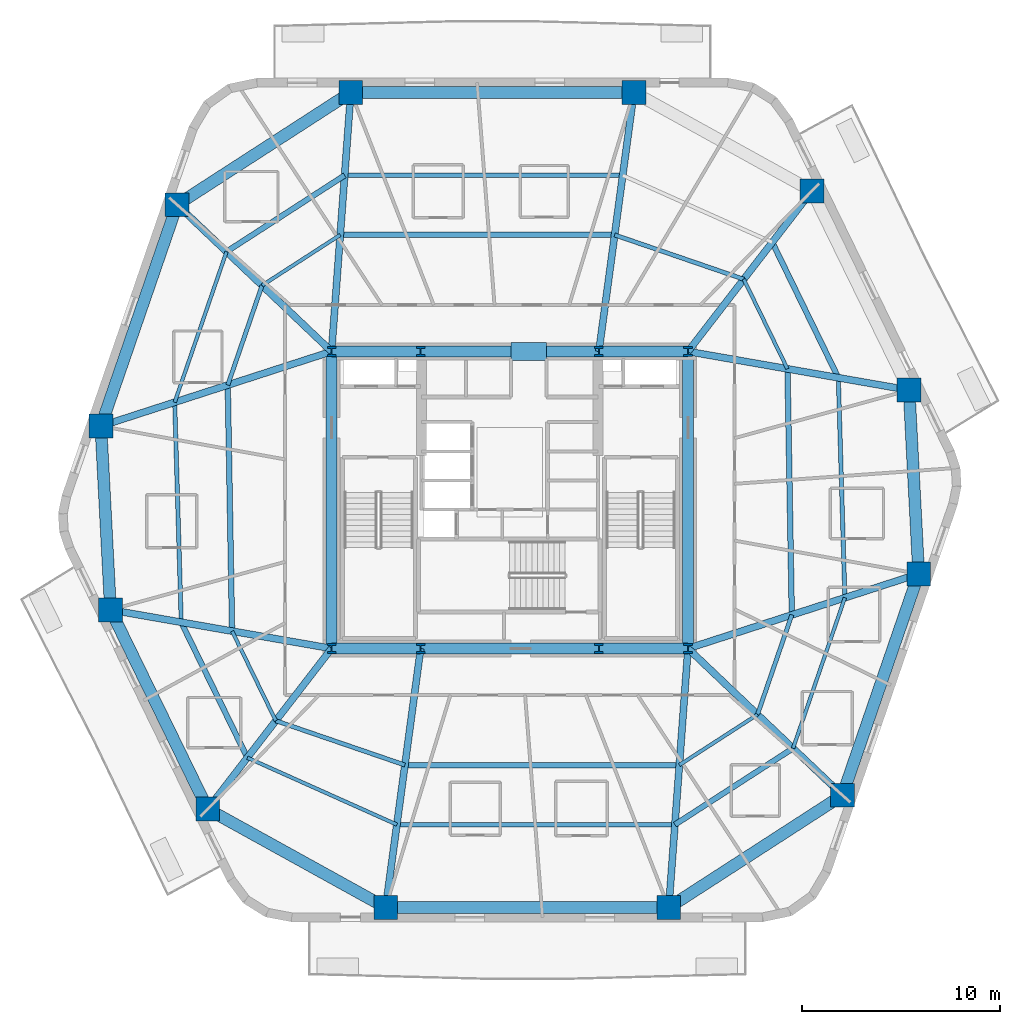
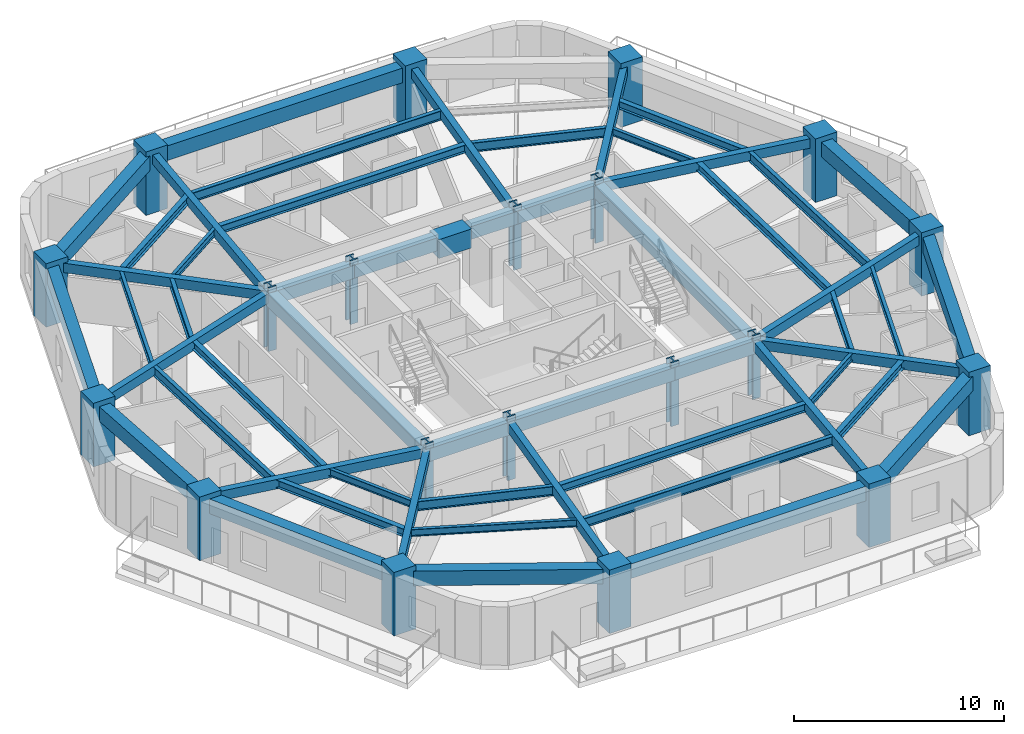
# One storey, part 1 of 10: 54 beams, 20 columns.
"""IFC4 building model written with IfcOpenShell, lengths in metres."""

from ifc_helpers import new_model, si_unit, direction, frame, origin, origin_2d, place, context, subcontext, project, spatial, rectangle, i_section, extrude, material, material_profile, profile_set, type_object, element, save


model = new_model("IFC4")

# Units and contexts
model_context = context("Model", 3, precision=1e-05, world=origin(), true_north=direction((0.0, 1.0)))
body_context = subcontext(model_context, "Body", "Model", "MODEL_VIEW")
ifc_project = project(units=[si_unit("LENGTHUNIT", "METRE"), si_unit("AREAUNIT", "SQUARE_METRE"), si_unit("VOLUMEUNIT", "CUBIC_METRE"), si_unit("PLANEANGLEUNIT", "RADIAN"), si_unit("MASSUNIT", "GRAM", prefix="KILO")], contexts=[model_context])

# Site, building, storey
site_placement = place(None, origin())
site = spatial("IfcSite", under=ifc_project, at=site_placement, CompositionType="ELEMENT")
building_placement = place(site_placement, origin())
building = spatial("IfcBuilding", under=site, at=building_placement, Name="Kilnhurst Terrace Hotel", CompositionType="ELEMENT")
storey_placement = place(building_placement, frame((0.0, 0.0, 98.800048828125)))
storey = spatial("IfcBuildingStorey", under=building, at=storey_placement, Name="L23", CompositionType="ELEMENT", Elevation=98.800048828125)

# Columns
ifc_material_1 = material(Name="Concrete C80/95", Category="concrete")
ifc_material_profile_1 = material_profile(ifc_material_1, rectangle(XDim=1.199951171875, YDim=1.199951171875, at=origin_2d()), Name="RC1200X1200")
ifc_profile_set_1 = profile_set([ifc_material_profile_1], Name="Concrete C80/95")
column_type_1 = type_object("IfcColumnType", Name="COL-RC-1200", PredefinedType="COLUMN", material=ifc_profile_set_1)
for number, where, z_axis, x_axis, name in (
    (1, (-6.26806640625, -20.580078125, 0.0), (0.0, 0.0, 1.0), (1.0, 0.0, 0.0), "L23 Structural Column PC-F11"),
    (2, (8.028076171875, -20.580078125, 0.0), (0.0, 0.0, 1.0), (1.0, 0.0, 0.0), "L23 Structural Column PC-F12"),
    (3, (16.800048828125, -14.910888671875, 0.0), (0.0, 0.0, 1.0), (1.0, 0.0, 0.0), "L23 Structural Column PC-F21"),
    (4, (20.64990234375, -3.73095703125, 0.0), (0.0, 0.0, 1.0), (1.0, 0.0, 0.0), "L23 Structural Column PC-F22"),
    (5, (20.1640625, 5.549072265625, 0.0), (0.0, 0.0, 1.0), (1.0, 0.0, 0.0), "L23 Structural Column PC-F31"),
    (6, (15.257080078125, 15.60888671875, 0.0), (0.0, 0.0, 1.0), (1.0, 0.0, 0.0), "L23 Structural Column PC-F32"),
    (7, (6.26806640625, 20.580078125, 0.0), (0.0, 0.0, 1.0), (1.0, 0.0, 0.0), "L23 Structural Column PC-F41"),
    (8, (-8.028076171875, 20.580078125, 0.0), (0.0, 0.0, 1.0), (1.0, 0.0, 0.0), "L23 Structural Column PC-F42"),
    (9, (-16.800048828125, 14.910888671875, 0.0), (0.0, 0.0, 1.0), (1.0, 0.0, 0.0), "L23 Structural Column PC-F51"),
    (10, (-20.64990234375, 3.73095703125, 0.0), (0.0, 0.0, 1.0), (1.0, 0.0, 0.0), "L23 Structural Column PC-F52"),
    (11, (-20.1640625, -5.549072265625, 0.0), (0.0, 0.0, 1.0), (1.0, 0.0, 0.0), "L23 Structural Column PC-F61"),
    (12, (-15.257080078125, -15.60888671875, 0.0), (0.0, 0.0, 1.0), (1.0, 0.0, 0.0), "L23 Structural Column PC-F62"),
):
    element("IfcColumn", number, at=place(storey_placement, frame(where, z_axis=z_axis, x_axis=x_axis)), inside=storey, type_object=column_type_1, Name=name, PredefinedType="COLUMN", context=body_context, shape_type="SweptSolid", body=[
        extrude(rectangle(XDim=1.199951171875, YDim=1.199951171875, at=origin_2d()), origin(), (0.0, 0.0, 1.0), 3.699951171875),
    ])
ifc_material_2 = material(Name="Steel ASTM A992 Grade 50", Category="steel")
ifc_material_profile_2 = material_profile(ifc_material_2, i_section(OverallWidth=0.43212890625, OverallDepth=0.497802734375, WebThickness=0.0556640625, FlangeThickness=0.0888671875, at=origin_2d()), Name="W14X500")
ifc_profile_set_2 = profile_set([ifc_material_profile_2], Name="Steel ASTM A992 Grade 50")
column_type_2 = type_object("IfcColumnType", Name="COL-STL-W14X500", PredefinedType="COLUMN", material=ifc_profile_set_2)
for number, where, z_axis, x_axis, name in (
    (13, (-9.0, -7.5, 0.0), (0.0, 0.0, 1.0), (1.0, 0.0, 0.0), "L23 Structural Column CC-SW"),
    (14, (-4.5, -7.5, 0.0), (0.0, 0.0, 1.0), (1.0, 0.0, 0.0), "L23 Structural Column CC-SC1"),
    (15, (4.5, -7.5, 0.0), (0.0, 0.0, 1.0), (1.0, 0.0, 0.0), "L23 Structural Column CC-SC2"),
    (16, (9.0, -7.5, 0.0), (0.0, 0.0, 1.0), (1.0, 0.0, 0.0), "L23 Structural Column CC-SE"),
    (17, (9.0, 7.5, 0.0), (0.0, 0.0, 1.0), (1.0, 0.0, 0.0), "L23 Structural Column CC-NE"),
    (18, (4.5, 7.5, 0.0), (0.0, 0.0, 1.0), (1.0, 0.0, 0.0), "L23 Structural Column CC-NC2"),
    (19, (-4.5, 7.5, 0.0), (0.0, 0.0, 1.0), (1.0, 0.0, 0.0), "L23 Structural Column CC-NC1"),
    (20, (-9.0, 7.5, 0.0), (0.0, 0.0, 1.0), (1.0, 0.0, 0.0), "L23 Structural Column CC-NW"),
):
    element("IfcColumn", number, at=place(storey_placement, frame(where, z_axis=z_axis, x_axis=x_axis)), inside=storey, type_object=column_type_2, Name=name, PredefinedType="COLUMN", context=body_context, shape_type="SweptSolid", body=[
        extrude(i_section(OverallWidth=0.43212890625, OverallDepth=0.497802734375, WebThickness=0.0556640625, FlangeThickness=0.0888671875, at=origin_2d()), origin(), (0.0, 0.0, 1.0), 3.699951171875),
    ])

# Beams
ifc_material_3 = material(Name="Concrete C50/60", Category="concrete")
ifc_material_profile_3 = material_profile(ifc_material_3, rectangle(XDim=0.35009765625, YDim=0.550048828125, at=origin_2d()), Name="RC350X550")
ifc_profile_set_3 = profile_set([ifc_material_profile_3], Name="Concrete C50/60")
beam_type_1 = type_object("IfcBeamType", Name="BM-RAD-350X550", PredefinedType="BEAM", material=ifc_profile_set_3)
beam_1_placement = place(storey_placement, frame((-4.5, -7.5, 3.125), z_axis=(-0.133954226177, -0.990987520249, 0.0), x_axis=(0.990987520249, -0.133954226177, 0.0)))
element("IfcBeam", 21, at=beam_1_placement, inside=storey, type_object=beam_type_1, Name="L23 Radial Floor Beam 1", PredefinedType="BEAM", context=body_context, shape_type="SweptSolid", body=[
    extrude(rectangle(XDim=0.35009765625, YDim=0.550048828125, at=origin_2d()), origin(), (0.0, 0.0, 1.0), 13.198974609375),
])
beam_2_placement = place(storey_placement, frame((9.0, -7.5, 3.125), z_axis=(-0.074101371747, -0.997250714066, 0.0), x_axis=(0.997250714066, -0.074101371747, 0.0)))
element("IfcBeam", 22, at=beam_2_placement, inside=storey, type_object=beam_type_1, Name="L23 Radial Floor Beam 2", PredefinedType="BEAM", context=body_context, shape_type="SweptSolid", body=[
    extrude(rectangle(XDim=0.35009765625, YDim=0.550048828125, at=origin_2d()), origin(), (0.0, 0.0, 1.0), 13.1162109375),
])
beam_3_placement = place(storey_placement, frame((9.0, -7.5, 3.125), z_axis=(0.724960341586, -0.688790609059, 0.0), x_axis=(0.688790609059, 0.724960341586, 0.0)))
element("IfcBeam", 23, at=beam_3_placement, inside=storey, type_object=beam_type_1, Name="L23 Radial Floor Beam 3", PredefinedType="BEAM", context=body_context, shape_type="SweptSolid", body=[
    extrude(rectangle(XDim=0.35009765625, YDim=0.550048828125, at=origin_2d()), origin(), (0.0, 0.0, 1.0), 10.75927734375),
])
beam_4_placement = place(storey_placement, frame((9.0, -7.5, 3.125), z_axis=(0.951445549065, 0.307817100182, 0.0), x_axis=(-0.307817100182, 0.951445549065, 0.0)))
element("IfcBeam", 24, at=beam_4_placement, inside=storey, type_object=beam_type_1, Name="L23 Radial Floor Beam 4", PredefinedType="BEAM", context=body_context, shape_type="SweptSolid", body=[
    extrude(rectangle(XDim=0.35009765625, YDim=0.550048828125, at=origin_2d()), origin(), (0.0, 0.0, 1.0), 12.244384765625),
])
beam_5_placement = place(storey_placement, frame((9.0, 7.5, 3.125), z_axis=(0.985072137567, -0.172142045384, 0.0), x_axis=(0.172142045384, 0.985072137567, 0.0)))
element("IfcBeam", 25, at=beam_5_placement, inside=storey, type_object=beam_type_1, Name="L23 Radial Floor Beam 5", PredefinedType="BEAM", context=body_context, shape_type="SweptSolid", body=[
    extrude(rectangle(XDim=0.35009765625, YDim=0.550048828125, at=origin_2d()), origin(), (0.0, 0.0, 1.0), 11.333251953125),
])
beam_6_placement = place(storey_placement, frame((9.0, 7.5, 3.125), z_axis=(0.610904638371, 0.79170418896, 0.0), x_axis=(-0.79170418896, 0.610904638371, 0.0)))
element("IfcBeam", 26, at=beam_6_placement, inside=storey, type_object=beam_type_1, Name="L23 Radial Floor Beam 6", PredefinedType="BEAM", context=body_context, shape_type="SweptSolid", body=[
    extrude(rectangle(XDim=0.35009765625, YDim=0.550048828125, at=origin_2d()), origin(), (0.0, 0.0, 1.0), 10.242431640625),
])
beam_7_placement = place(storey_placement, frame((4.5, 7.5, 3.125), z_axis=(0.133954226177, 0.990987520249, 0.0), x_axis=(-0.990987520249, 0.133954226177, 0.0)))
element("IfcBeam", 27, at=beam_7_placement, inside=storey, type_object=beam_type_1, Name="L23 Radial Floor Beam 7", PredefinedType="BEAM", context=body_context, shape_type="SweptSolid", body=[
    extrude(rectangle(XDim=0.35009765625, YDim=0.550048828125, at=origin_2d()), origin(), (0.0, 0.0, 1.0), 13.198974609375),
])
beam_8_placement = place(storey_placement, frame((-9.0, 7.5, 3.125), z_axis=(0.074101371747, 0.997250714066, 0.0), x_axis=(-0.997250714066, 0.074101371747, 0.0)))
element("IfcBeam", 28, at=beam_8_placement, inside=storey, type_object=beam_type_1, Name="L23 Radial Floor Beam 8", PredefinedType="BEAM", context=body_context, shape_type="SweptSolid", body=[
    extrude(rectangle(XDim=0.35009765625, YDim=0.550048828125, at=origin_2d()), origin(), (0.0, 0.0, 1.0), 13.1162109375),
])
beam_9_placement = place(storey_placement, frame((-9.0, 7.5, 3.125), z_axis=(-0.724960341586, 0.688790609059, 0.0), x_axis=(-0.688790609059, -0.724960341586, 0.0)))
element("IfcBeam", 29, at=beam_9_placement, inside=storey, type_object=beam_type_1, Name="L23 Radial Floor Beam 9", PredefinedType="BEAM", context=body_context, shape_type="SweptSolid", body=[
    extrude(rectangle(XDim=0.35009765625, YDim=0.550048828125, at=origin_2d()), origin(), (0.0, 0.0, 1.0), 10.75927734375),
])
beam_10_placement = place(storey_placement, frame((-9.0, 7.5, 3.125), z_axis=(-0.951445549065, -0.307817100182, 0.0), x_axis=(0.307817100182, -0.951445549065, 0.0)))
element("IfcBeam", 30, at=beam_10_placement, inside=storey, type_object=beam_type_1, Name="L23 Radial Floor Beam 10", PredefinedType="BEAM", context=body_context, shape_type="SweptSolid", body=[
    extrude(rectangle(XDim=0.35009765625, YDim=0.550048828125, at=origin_2d()), origin(), (0.0, 0.0, 1.0), 12.244384765625),
])
beam_11_placement = place(storey_placement, frame((-9.0, -7.5, 3.125), z_axis=(-0.985072137567, 0.172142045384, 0.0), x_axis=(-0.172142045384, -0.985072137567, 0.0)))
element("IfcBeam", 31, at=beam_11_placement, inside=storey, type_object=beam_type_1, Name="L23 Radial Floor Beam 11", PredefinedType="BEAM", context=body_context, shape_type="SweptSolid", body=[
    extrude(rectangle(XDim=0.35009765625, YDim=0.550048828125, at=origin_2d()), origin(), (0.0, 0.0, 1.0), 11.333251953125),
])
beam_12_placement = place(storey_placement, frame((-9.0, -7.5, 3.125), z_axis=(-0.610904638371, -0.79170418896, 0.0), x_axis=(0.79170418896, -0.610904638371, 0.0)))
element("IfcBeam", 32, at=beam_12_placement, inside=storey, type_object=beam_type_1, Name="L23 Radial Floor Beam 12", PredefinedType="BEAM", context=body_context, shape_type="SweptSolid", body=[
    extrude(rectangle(XDim=0.35009765625, YDim=0.550048828125, at=origin_2d()), origin(), (0.0, 0.0, 1.0), 10.242431640625),
])
ifc_material_profile_4 = material_profile(ifc_material_3, rectangle(XDim=0.550048828125, YDim=0.75, at=origin_2d()), Name="RC550X750")
ifc_profile_set_4 = profile_set([ifc_material_profile_4], Name="Concrete C50/60")
beam_type_2 = type_object("IfcBeamType", Name="BM-SPN-550X750", PredefinedType="SPANDREL", material=ifc_profile_set_4)
beam_13_placement = place(storey_placement, frame((-9.0, 7.5, 3.02490234375), z_axis=(1.0, 0.0, 0.0), x_axis=(0.0, 1.0, 0.0)))
element("IfcBeam", 33, at=beam_13_placement, inside=storey, type_object=beam_type_2, Name="L23 Core Tie Beam CC-NW to CC-NC1", PredefinedType="SPANDREL", context=body_context, shape_type="SweptSolid", body=[
    extrude(rectangle(XDim=0.550048828125, YDim=0.75, at=origin_2d()), origin(), (0.0, 0.0, 1.0), 4.5),
])
beam_14_placement = place(storey_placement, frame((-4.5, 7.5, 3.02490234375), z_axis=(1.0, 0.0, 0.0), x_axis=(0.0, 1.0, 0.0)))
element("IfcBeam", 34, at=beam_14_placement, inside=storey, type_object=beam_type_2, Name="L23 Core Tie Beam CC-NC1 to CC-NC2", PredefinedType="SPANDREL", context=body_context, shape_type="SweptSolid", body=[
    extrude(rectangle(XDim=0.550048828125, YDim=0.75, at=origin_2d()), origin(), (0.0, 0.0, 1.0), 9.0),
])
for number, where, z_axis, x_axis, name in (
    (35, (4.5, 7.5, 3.02490234375), (1.0, 0.0, 0.0), (0.0, 1.0, 0.0), "L23 Core Tie Beam CC-NC2 to CC-NE"),
    (36, (-9.0, -7.5, 3.02490234375), (1.0, 0.0, 0.0), (0.0, 1.0, 0.0), "L23 Core Tie Beam CC-SW to CC-SC1"),
):
    element("IfcBeam", number, at=place(storey_placement, frame(where, z_axis=z_axis, x_axis=x_axis)), inside=storey, type_object=beam_type_2, Name=name, PredefinedType="SPANDREL", context=body_context, shape_type="SweptSolid", body=[
        extrude(rectangle(XDim=0.550048828125, YDim=0.75, at=origin_2d()), origin(), (0.0, 0.0, 1.0), 4.5),
    ])
beam_15_placement = place(storey_placement, frame((-4.5, -7.5, 3.02490234375), z_axis=(1.0, 0.0, 0.0), x_axis=(0.0, 1.0, 0.0)))
element("IfcBeam", 37, at=beam_15_placement, inside=storey, type_object=beam_type_2, Name="L23 Core Tie Beam CC-SC1 to CC-SC2", PredefinedType="SPANDREL", context=body_context, shape_type="SweptSolid", body=[
    extrude(rectangle(XDim=0.550048828125, YDim=0.75, at=origin_2d()), origin(), (0.0, 0.0, 1.0), 9.0),
])
beam_16_placement = place(storey_placement, frame((4.5, -7.5, 3.02490234375), z_axis=(1.0, 0.0, 0.0), x_axis=(0.0, 1.0, 0.0)))
element("IfcBeam", 38, at=beam_16_placement, inside=storey, type_object=beam_type_2, Name="L23 Core Tie Beam CC-SC2 to CC-SE", PredefinedType="SPANDREL", context=body_context, shape_type="SweptSolid", body=[
    extrude(rectangle(XDim=0.550048828125, YDim=0.75, at=origin_2d()), origin(), (0.0, 0.0, 1.0), 4.5),
])
for number, where, z_axis, x_axis, name in (
    (39, (-9.0, -7.5, 3.02490234375), (0.0, 1.0, 0.0), (-1.0, 0.0, 0.0), "L23 Core Tie Beam CC-SW to CC-NW"),
    (40, (9.0, -7.5, 3.02490234375), (0.0, 1.0, 0.0), (-1.0, 0.0, 0.0), "L23 Core Tie Beam CC-SE to CC-NE"),
):
    element("IfcBeam", number, at=place(storey_placement, frame(where, z_axis=z_axis, x_axis=x_axis)), inside=storey, type_object=beam_type_2, Name=name, PredefinedType="SPANDREL", context=body_context, shape_type="SweptSolid", body=[
        extrude(rectangle(XDim=0.550048828125, YDim=0.75, at=origin_2d()), origin(), (0.0, 0.0, 1.0), 15.0),
    ])
ifc_material_profile_5 = material_profile(ifc_material_3, rectangle(XDim=0.60009765625, YDim=0.85009765625, at=origin_2d()), Name="RC600X850")
ifc_profile_set_5 = profile_set([ifc_material_profile_5], Name="Concrete C50/60")
beam_type_3 = type_object("IfcBeamType", Name="BM-SPN-600X850", PredefinedType="SPANDREL", material=ifc_profile_set_5)
beam_17_placement = place(storey_placement, frame((-6.26806640625, -20.580078125, 2.974853515625), z_axis=(1.0, 0.0, 0.0), x_axis=(0.0, 1.0, 0.0)))
element("IfcBeam", 41, at=beam_17_placement, inside=storey, type_object=beam_type_3, Name="L23 Perimeter Spandrel Beam 1", PredefinedType="SPANDREL", context=body_context, shape_type="SweptSolid", body=[
    extrude(rectangle(XDim=0.60009765625, YDim=0.85009765625, at=origin_2d()), origin(), (0.0, 0.0, 1.0), 14.296142578125),
])
beam_18_placement = place(storey_placement, frame((8.028076171875, -20.580078125, 2.974853515625), z_axis=(0.839866667472, 0.542792760517, 0.0), x_axis=(-0.542792760517, 0.839866667472, 0.0)))
element("IfcBeam", 42, at=beam_18_placement, inside=storey, type_object=beam_type_3, Name="L23 Perimeter Spandrel Beam 2", PredefinedType="SPANDREL", context=body_context, shape_type="SweptSolid", body=[
    extrude(rectangle(XDim=0.60009765625, YDim=0.85009765625, at=origin_2d()), origin(), (0.0, 0.0, 1.0), 10.444580078125),
])
beam_19_placement = place(storey_placement, frame((16.800048828125, -14.910888671875, 2.974853515625), z_axis=(0.325590408593, 0.945510912593, 0.0), x_axis=(-0.945510912593, 0.325590408593, 0.0)))
element("IfcBeam", 43, at=beam_19_placement, inside=storey, type_object=beam_type_3, Name="L23 Perimeter Spandrel Beam 3", PredefinedType="SPANDREL", context=body_context, shape_type="SweptSolid", body=[
    extrude(rectangle(XDim=0.60009765625, YDim=0.85009765625, at=origin_2d()), origin(), (0.0, 0.0, 1.0), 11.82421875),
])
beam_20_placement = place(storey_placement, frame((20.64990234375, -3.73095703125, 2.974853515625), z_axis=(-0.052281666706, 0.998632378469, 0.0), x_axis=(-0.998632378469, -0.052281666706, 0.0)))
element("IfcBeam", 44, at=beam_20_placement, inside=storey, type_object=beam_type_3, Name="L23 Perimeter Spandrel Beam 4", PredefinedType="SPANDREL", context=body_context, shape_type="SweptSolid", body=[
    extrude(rectangle(XDim=0.60009765625, YDim=0.85009765625, at=origin_2d()), origin(), (0.0, 0.0, 1.0), 9.292724609375),
])
beam_21_placement = place(storey_placement, frame((6.26806640625, 20.580078125, 2.974853515625), z_axis=(-1.0, 0.0, 0.0), x_axis=(0.0, -1.0, 0.0)))
element("IfcBeam", 45, at=beam_21_placement, inside=storey, type_object=beam_type_3, Name="L23 Perimeter Spandrel Beam 7", PredefinedType="SPANDREL", context=body_context, shape_type="SweptSolid", body=[
    extrude(rectangle(XDim=0.60009765625, YDim=0.85009765625, at=origin_2d()), origin(), (0.0, 0.0, 1.0), 14.296142578125),
])
beam_22_placement = place(storey_placement, frame((-8.028076171875, 20.580078125, 2.974853515625), z_axis=(-0.839866667472, -0.542792760517, 0.0), x_axis=(0.542792760517, -0.839866667472, 0.0)))
element("IfcBeam", 46, at=beam_22_placement, inside=storey, type_object=beam_type_3, Name="L23 Perimeter Spandrel Beam 8", PredefinedType="SPANDREL", context=body_context, shape_type="SweptSolid", body=[
    extrude(rectangle(XDim=0.60009765625, YDim=0.85009765625, at=origin_2d()), origin(), (0.0, 0.0, 1.0), 10.444580078125),
])
beam_23_placement = place(storey_placement, frame((-16.800048828125, 14.910888671875, 2.974853515625), z_axis=(-0.325590408593, -0.945510912593, 0.0), x_axis=(0.945510912593, -0.325590408593, 0.0)))
element("IfcBeam", 47, at=beam_23_placement, inside=storey, type_object=beam_type_3, Name="L23 Perimeter Spandrel Beam 9", PredefinedType="SPANDREL", context=body_context, shape_type="SweptSolid", body=[
    extrude(rectangle(XDim=0.60009765625, YDim=0.85009765625, at=origin_2d()), origin(), (0.0, 0.0, 1.0), 11.82421875),
])
beam_24_placement = place(storey_placement, frame((-20.64990234375, 3.73095703125, 2.974853515625), z_axis=(0.052281666706, -0.998632378469, 0.0), x_axis=(0.998632378469, 0.052281666706, 0.0)))
element("IfcBeam", 48, at=beam_24_placement, inside=storey, type_object=beam_type_3, Name="L23 Perimeter Spandrel Beam 10", PredefinedType="SPANDREL", context=body_context, shape_type="SweptSolid", body=[
    extrude(rectangle(XDim=0.60009765625, YDim=0.85009765625, at=origin_2d()), origin(), (0.0, 0.0, 1.0), 9.292724609375),
])
beam_25_placement = place(storey_placement, frame((-20.1640625, -5.549072265625, 2.974853515625), z_axis=(0.438406012271, -0.89877704043, 0.0), x_axis=(0.89877704043, 0.438406012271, 0.0)))
element("IfcBeam", 49, at=beam_25_placement, inside=storey, type_object=beam_type_3, Name="L23 Perimeter Spandrel Beam 11", PredefinedType="SPANDREL", context=body_context, shape_type="SweptSolid", body=[
    extrude(rectangle(XDim=0.60009765625, YDim=0.85009765625, at=origin_2d()), origin(), (0.0, 0.0, 1.0), 11.19287109375),
])
beam_26_placement = place(storey_placement, frame((-15.257080078125, -15.60888671875, 2.974853515625), z_axis=(0.875094010429, -0.483952965598, 0.0), x_axis=(0.483952965598, 0.875094010429, 0.0)))
element("IfcBeam", 50, at=beam_26_placement, inside=storey, type_object=beam_type_3, Name="L23 Perimeter Spandrel Beam 12", PredefinedType="SPANDREL", context=body_context, shape_type="SweptSolid", body=[
    extrude(rectangle(XDim=0.60009765625, YDim=0.85009765625, at=origin_2d()), origin(), (0.0, 0.0, 1.0), 10.27197265625),
])
ifc_material_profile_6 = material_profile(ifc_material_2, i_section(OverallWidth=0.180908203125, OverallDepth=0.417236328125, WebThickness=0.010986328125, FlangeThickness=0.018310546875, at=origin_2d()), Name="W16X57")
ifc_profile_set_6 = profile_set([ifc_material_profile_6], Name="Steel ASTM A992 Grade 50")
beam_type_4 = type_object("IfcBeamType", Name="JST-STL-W16X57", PredefinedType="JOIST", material=ifc_profile_set_6)
for number, where, z_axis, x_axis, name in (
    (51, (14.303955078125, -12.53955078125, 3.19091796875), (0.325612620381, 0.945503263584, 0.0), (-0.945503263584, 0.325612620381, 0.0), "L23 Secondary Floor Steel Joist OUT.3"),
    (52, (-14.303955078125, 12.53955078125, 3.19091796875), (-0.325612620381, -0.945503263584, 0.0), (0.945503263584, -0.325612620381, 0.0), "L23 Secondary Floor Steel Joist OUT.9"),
):
    element("IfcBeam", number, at=place(storey_placement, frame(where, z_axis=z_axis, x_axis=x_axis)), inside=storey, type_object=beam_type_4, Name=name, PredefinedType="JOIST", context=body_context, shape_type="SweptSolid", body=[
        extrude(i_section(OverallWidth=0.180908203125, OverallDepth=0.417236328125, WebThickness=0.010986328125, FlangeThickness=0.018310546875, at=origin_2d()), origin(), (0.0, 0.0, 1.0), 8.040771484375),
    ])
beam_27_placement = place(storey_placement, frame((-13.2548828125, -13.01416015625, 3.19091796875), z_axis=(0.912760935806, -0.408494154262, 0.0), x_axis=(0.408494154262, 0.912760935806, 0.0)))
element("IfcBeam", 53, at=beam_27_placement, inside=storey, type_object=beam_type_4, Name="L23 Secondary Floor Steel Joist OUT.12", PredefinedType="JOIST", context=body_context, shape_type="SweptSolid", body=[
    extrude(i_section(OverallWidth=0.180908203125, OverallDepth=0.417236328125, WebThickness=0.010986328125, FlangeThickness=0.018310546875, at=origin_2d()), origin(), (0.0, 0.0, 1.0), 8.274658203125),
])
beam_28_placement = place(storey_placement, frame((8.5625, -13.385986328125, 3.19091796875), z_axis=(0.839884974974, 0.542764432155, 0.0), x_axis=(-0.542764432155, 0.839884974974, 0.0)))
element("IfcBeam", 54, at=beam_28_placement, inside=storey, type_object=beam_type_4, Name="L23 Secondary Floor Steel Joist IN.2", PredefinedType="JOIST", context=body_context, shape_type="SweptSolid", body=[
    extrude(i_section(OverallWidth=0.180908203125, OverallDepth=0.417236328125, WebThickness=0.010986328125, FlangeThickness=0.018310546875, at=origin_2d()), origin(), (0.0, 0.0, 1.0), 4.699951171875),
])
beam_29_placement = place(storey_placement, frame((14.023681640625, 6.6220703125, 3.19091796875), z_axis=(-0.438389251087, 0.898785216017, 0.0), x_axis=(-0.898785216017, -0.438389251087, 0.0)))
element("IfcBeam", 55, at=beam_29_placement, inside=storey, type_object=beam_type_4, Name="L23 Secondary Floor Steel Joist IN.5", PredefinedType="JOIST", context=body_context, shape_type="SweptSolid", body=[
    extrude(i_section(OverallWidth=0.180908203125, OverallDepth=0.417236328125, WebThickness=0.010986328125, FlangeThickness=0.018310546875, at=origin_2d()), origin(), (0.0, 0.0, 1.0), 5.03662109375),
])
beam_30_placement = place(storey_placement, frame((-8.5625, 13.385986328125, 3.19091796875), z_axis=(-0.839884974974, -0.542764432155, 0.0), x_axis=(0.542764432155, -0.839884974974, 0.0)))
element("IfcBeam", 56, at=beam_30_placement, inside=storey, type_object=beam_type_4, Name="L23 Secondary Floor Steel Joist IN.8", PredefinedType="JOIST", context=body_context, shape_type="SweptSolid", body=[
    extrude(i_section(OverallWidth=0.180908203125, OverallDepth=0.417236328125, WebThickness=0.010986328125, FlangeThickness=0.018310546875, at=origin_2d()), origin(), (0.0, 0.0, 1.0), 4.699951171875),
])
beam_31_placement = place(storey_placement, frame((-14.023681640625, -6.6220703125, 3.19091796875), z_axis=(0.438389251087, -0.898785216017, 0.0), x_axis=(0.898785216017, 0.438389251087, 0.0)))
element("IfcBeam", 57, at=beam_31_placement, inside=storey, type_object=beam_type_4, Name="L23 Secondary Floor Steel Joist IN.11", PredefinedType="JOIST", context=body_context, shape_type="SweptSolid", body=[
    extrude(i_section(OverallWidth=0.180908203125, OverallDepth=0.417236328125, WebThickness=0.010986328125, FlangeThickness=0.018310546875, at=origin_2d()), origin(), (0.0, 0.0, 1.0), 5.03662109375),
])
ifc_material_profile_7 = material_profile(ifc_material_2, i_section(OverallWidth=0.279296875, OverallDepth=0.462890625, WebThickness=0.0107421875, FlangeThickness=0.017333984375, at=origin_2d()), Name="W18X76")
ifc_profile_set_7 = profile_set([ifc_material_profile_7], Name="Steel ASTM A992 Grade 50")
beam_type_5 = type_object("IfcBeamType", Name="JST-STL-W18X76", PredefinedType="JOIST", material=ifc_profile_set_7)
beam_32_placement = place(storey_placement, frame((8.339111328125, -16.394287109375, 3.16796875), z_axis=(0.839882675086, 0.542767991034, 0.0), x_axis=(-0.542767991034, 0.839882675086, 0.0)))
element("IfcBeam", 58, at=beam_32_placement, inside=storey, type_object=beam_type_5, Name="L23 Secondary Floor Steel Joist OUT.2", PredefinedType="JOIST", context=body_context, shape_type="SweptSolid", body=[
    extrude(i_section(OverallWidth=0.279296875, OverallDepth=0.462890625, WebThickness=0.0107421875, FlangeThickness=0.017333984375, at=origin_2d()), origin(), (0.0, 0.0, 1.0), 7.10205078125),
])
beam_33_placement = place(storey_placement, frame((16.591552734375, 6.17333984375, 3.16796875), z_axis=(-0.438390137084, 0.898784783865, 0.0), x_axis=(-0.898784783865, -0.438390137084, 0.0)))
element("IfcBeam", 59, at=beam_33_placement, inside=storey, type_object=beam_type_5, Name="L23 Secondary Floor Steel Joist OUT.5", PredefinedType="JOIST", context=body_context, shape_type="SweptSolid", body=[
    extrude(i_section(OverallWidth=0.279296875, OverallDepth=0.462890625, WebThickness=0.0107421875, FlangeThickness=0.017333984375, at=origin_2d()), origin(), (0.0, 0.0, 1.0), 7.611083984375),
])
beam_34_placement = place(storey_placement, frame((-8.339111328125, 16.394287109375, 3.16796875), z_axis=(-0.839882675086, -0.542767991034, 0.0), x_axis=(0.542767991034, -0.839882675086, 0.0)))
element("IfcBeam", 60, at=beam_34_placement, inside=storey, type_object=beam_type_5, Name="L23 Secondary Floor Steel Joist OUT.8", PredefinedType="JOIST", context=body_context, shape_type="SweptSolid", body=[
    extrude(i_section(OverallWidth=0.279296875, OverallDepth=0.462890625, WebThickness=0.0107421875, FlangeThickness=0.017333984375, at=origin_2d()), origin(), (0.0, 0.0, 1.0), 7.10205078125),
])
beam_35_placement = place(storey_placement, frame((-16.591552734375, -6.17333984375, 3.16796875), z_axis=(0.438390137084, -0.898784783865, 0.0), x_axis=(0.898784783865, 0.438390137084, 0.0)))
element("IfcBeam", 61, at=beam_35_placement, inside=storey, type_object=beam_type_5, Name="L23 Secondary Floor Steel Joist OUT.11", PredefinedType="JOIST", context=body_context, shape_type="SweptSolid", body=[
    extrude(i_section(OverallWidth=0.279296875, OverallDepth=0.462890625, WebThickness=0.0107421875, FlangeThickness=0.017333984375, at=origin_2d()), origin(), (0.0, 0.0, 1.0), 7.611083984375),
])
beam_36_placement = place(storey_placement, frame((-5.295654296875, -13.385986328125, 3.16796875), z_axis=(1.0, 0.0, 0.0), x_axis=(0.0, 1.0, 0.0)))
element("IfcBeam", 62, at=beam_36_placement, inside=storey, type_object=beam_type_5, Name="L23 Secondary Floor Steel Joist IN.1", PredefinedType="JOIST", context=body_context, shape_type="SweptSolid", body=[
    extrude(i_section(OverallWidth=0.279296875, OverallDepth=0.462890625, WebThickness=0.0107421875, FlangeThickness=0.017333984375, at=origin_2d()), origin(), (0.0, 0.0, 1.0), 13.858154296875),
])
beam_37_placement = place(storey_placement, frame((14.242431640625, -5.803955078125, 3.16796875), z_axis=(-0.017601453796, 0.999845082412, 0.0), x_axis=(-0.999845082412, -0.017601453796, 0.0)))
element("IfcBeam", 63, at=beam_37_placement, inside=storey, type_object=beam_type_5, Name="L23 Secondary Floor Steel Joist IN.4", PredefinedType="JOIST", context=body_context, shape_type="SweptSolid", body=[
    extrude(i_section(OverallWidth=0.279296875, OverallDepth=0.462890625, WebThickness=0.0107421875, FlangeThickness=0.017333984375, at=origin_2d()), origin(), (0.0, 0.0, 1.0), 12.427978515625),
])
beam_38_placement = place(storey_placement, frame((5.295654296875, 13.385986328125, 3.16796875), z_axis=(-1.0, 0.0, 0.0), x_axis=(0.0, -1.0, 0.0)))
element("IfcBeam", 64, at=beam_38_placement, inside=storey, type_object=beam_type_5, Name="L23 Secondary Floor Steel Joist IN.7", PredefinedType="JOIST", context=body_context, shape_type="SweptSolid", body=[
    extrude(i_section(OverallWidth=0.279296875, OverallDepth=0.462890625, WebThickness=0.0107421875, FlangeThickness=0.017333984375, at=origin_2d()), origin(), (0.0, 0.0, 1.0), 13.858154296875),
])
beam_39_placement = place(storey_placement, frame((-14.242431640625, 5.803955078125, 3.16796875), z_axis=(0.017601453796, -0.999845082412, 0.0), x_axis=(0.999845082412, 0.017601453796, 0.0)))
element("IfcBeam", 65, at=beam_39_placement, inside=storey, type_object=beam_type_5, Name="L23 Secondary Floor Steel Joist IN.10", PredefinedType="JOIST", context=body_context, shape_type="SweptSolid", body=[
    extrude(i_section(OverallWidth=0.279296875, OverallDepth=0.462890625, WebThickness=0.0107421875, FlangeThickness=0.017333984375, at=origin_2d()), origin(), (0.0, 0.0, 1.0), 12.427978515625),
])
ifc_material_profile_8 = material_profile(ifc_material_2, i_section(OverallWidth=0.2138671875, OverallDepth=0.549072265625, WebThickness=0.0146484375, FlangeThickness=0.023681640625, at=origin_2d()), Name="W21X93")
ifc_profile_set_8 = profile_set([ifc_material_profile_8], Name="Steel ASTM A992 Grade 50")
beam_type_6 = type_object("IfcBeamType", Name="JST-STL-W21X93", PredefinedType="JOIST", material=ifc_profile_set_8)
beam_40_placement = place(storey_placement, frame((-5.7021484375, -16.394287109375, 3.125), z_axis=(1.0, 0.0, 0.0), x_axis=(0.0, 1.0, 0.0)))
element("IfcBeam", 66, at=beam_40_placement, inside=storey, type_object=beam_type_6, Name="L23 Secondary Floor Steel Joist OUT.1", PredefinedType="JOIST", context=body_context, shape_type="SweptSolid", body=[
    extrude(i_section(OverallWidth=0.2138671875, OverallDepth=0.549072265625, WebThickness=0.0146484375, FlangeThickness=0.023681640625, at=origin_2d()), origin(), (0.0, 0.0, 1.0), 14.041259765625),
])
beam_41_placement = place(storey_placement, frame((16.922119140625, -4.93701171875, 3.125), z_axis=(-0.029739849895, 0.999557672837, 0.0), x_axis=(-0.999557672837, -0.029739849895, 0.0)))
element("IfcBeam", 67, at=beam_41_placement, inside=storey, type_object=beam_type_6, Name="L23 Secondary Floor Steel Joist OUT.4", PredefinedType="JOIST", context=body_context, shape_type="SweptSolid", body=[
    extrude(i_section(OverallWidth=0.2138671875, OverallDepth=0.549072265625, WebThickness=0.0146484375, FlangeThickness=0.023681640625, at=origin_2d()), origin(), (0.0, 0.0, 1.0), 11.115234375),
])
beam_42_placement = place(storey_placement, frame((5.7021484375, 16.394287109375, 3.125), z_axis=(-1.0, 0.0, 0.0), x_axis=(0.0, -1.0, 0.0)))
element("IfcBeam", 68, at=beam_42_placement, inside=storey, type_object=beam_type_6, Name="L23 Secondary Floor Steel Joist OUT.7", PredefinedType="JOIST", context=body_context, shape_type="SweptSolid", body=[
    extrude(i_section(OverallWidth=0.2138671875, OverallDepth=0.549072265625, WebThickness=0.0146484375, FlangeThickness=0.023681640625, at=origin_2d()), origin(), (0.0, 0.0, 1.0), 14.041259765625),
])
beam_43_placement = place(storey_placement, frame((-16.922119140625, 4.93701171875, 3.125), z_axis=(0.029739849895, -0.999557672837, 0.0), x_axis=(0.999557672837, 0.029739849895, 0.0)))
element("IfcBeam", 69, at=beam_43_placement, inside=storey, type_object=beam_type_6, Name="L23 Secondary Floor Steel Joist OUT.10", PredefinedType="JOIST", context=body_context, shape_type="SweptSolid", body=[
    extrude(i_section(OverallWidth=0.2138671875, OverallDepth=0.549072265625, WebThickness=0.0146484375, FlangeThickness=0.023681640625, at=origin_2d()), origin(), (0.0, 0.0, 1.0), 11.115234375),
])
beam_44_placement = place(storey_placement, frame((12.510009765625, -10.8349609375, 3.125), z_axis=(0.325586238877, 0.945512348441, 0.0), x_axis=(-0.945512348441, 0.325586238877, 0.0)))
element("IfcBeam", 70, at=beam_44_placement, inside=storey, type_object=beam_type_6, Name="L23 Secondary Floor Steel Joist IN.3", PredefinedType="JOIST", context=body_context, shape_type="SweptSolid", body=[
    extrude(i_section(OverallWidth=0.2138671875, OverallDepth=0.549072265625, WebThickness=0.0146484375, FlangeThickness=0.023681640625, at=origin_2d()), origin(), (0.0, 0.0, 1.0), 5.321044921875),
])
beam_45_placement = place(storey_placement, frame((11.815673828125, 11.14892578125, 3.125), z_axis=(-0.945873585837, 0.324535297949, 0.0), x_axis=(-0.324535297949, -0.945873585837, 0.0)))
element("IfcBeam", 71, at=beam_45_placement, inside=storey, type_object=beam_type_6, Name="L23 Secondary Floor Steel Joist IN.6", PredefinedType="JOIST", context=body_context, shape_type="SweptSolid", body=[
    extrude(i_section(OverallWidth=0.2138671875, OverallDepth=0.549072265625, WebThickness=0.0146484375, FlangeThickness=0.023681640625, at=origin_2d()), origin(), (0.0, 0.0, 1.0), 6.89306640625),
])
beam_46_placement = place(storey_placement, frame((-12.510009765625, 10.8349609375, 3.125), z_axis=(-0.325586238877, -0.945512348441, 0.0), x_axis=(0.945512348441, -0.325586238877, 0.0)))
element("IfcBeam", 72, at=beam_46_placement, inside=storey, type_object=beam_type_6, Name="L23 Secondary Floor Steel Joist IN.9", PredefinedType="JOIST", context=body_context, shape_type="SweptSolid", body=[
    extrude(i_section(OverallWidth=0.2138671875, OverallDepth=0.549072265625, WebThickness=0.0146484375, FlangeThickness=0.023681640625, at=origin_2d()), origin(), (0.0, 0.0, 1.0), 5.321044921875),
])
beam_47_placement = place(storey_placement, frame((-11.815673828125, -11.14892578125, 3.125), z_axis=(0.945873585837, -0.324535297949, 0.0), x_axis=(0.324535297949, 0.945873585837, 0.0)))
element("IfcBeam", 73, at=beam_47_placement, inside=storey, type_object=beam_type_6, Name="L23 Secondary Floor Steel Joist IN.12", PredefinedType="JOIST", context=body_context, shape_type="SweptSolid", body=[
    extrude(i_section(OverallWidth=0.2138671875, OverallDepth=0.549072265625, WebThickness=0.0146484375, FlangeThickness=0.023681640625, at=origin_2d()), origin(), (0.0, 0.0, 1.0), 6.89306640625),
])
ifc_material_profile_9 = material_profile(ifc_material_1, rectangle(XDim=0.89990234375, YDim=1.10009765625, at=origin_2d()), Name="RC900X1100")
ifc_profile_set_9 = profile_set([ifc_material_profile_9], Name="Concrete C80/95")
beam_type_7 = type_object("IfcBeamType", Name="LNT-CB-900X1100", PredefinedType="LINTEL", material=ifc_profile_set_9)
beam_48_placement = place(storey_placement, frame((0.050048828125, 7.5, 2.849853515625), z_axis=(1.0, 0.0, 0.0), x_axis=(0.0, 1.0, 0.0)))
element("IfcBeam", 74, at=beam_48_placement, inside=storey, type_object=beam_type_7, Name="L23 North Core Coupling Link Beam", PredefinedType="LINTEL", context=body_context, shape_type="SweptSolid", body=[
    extrude(rectangle(XDim=0.89990234375, YDim=1.10009765625, at=origin_2d()), origin(), (0.0, 0.0, 1.0), 1.800048828125),
])

save(model, "model.ifc")
